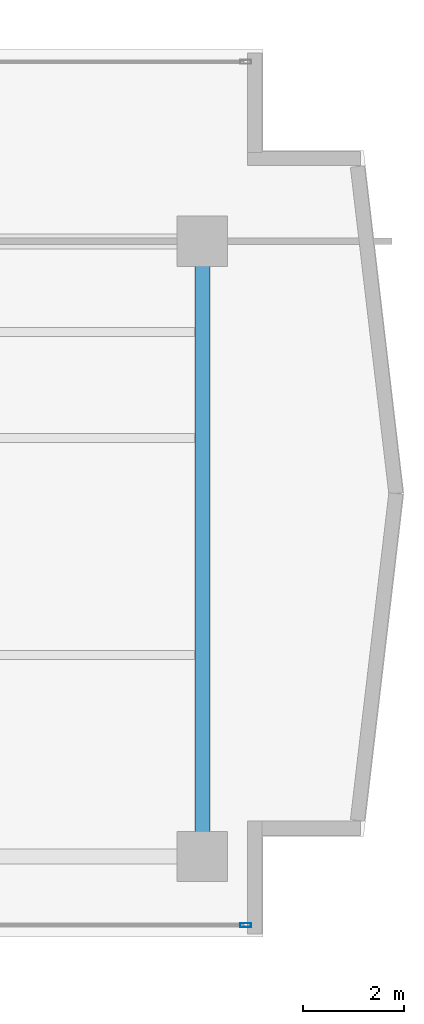
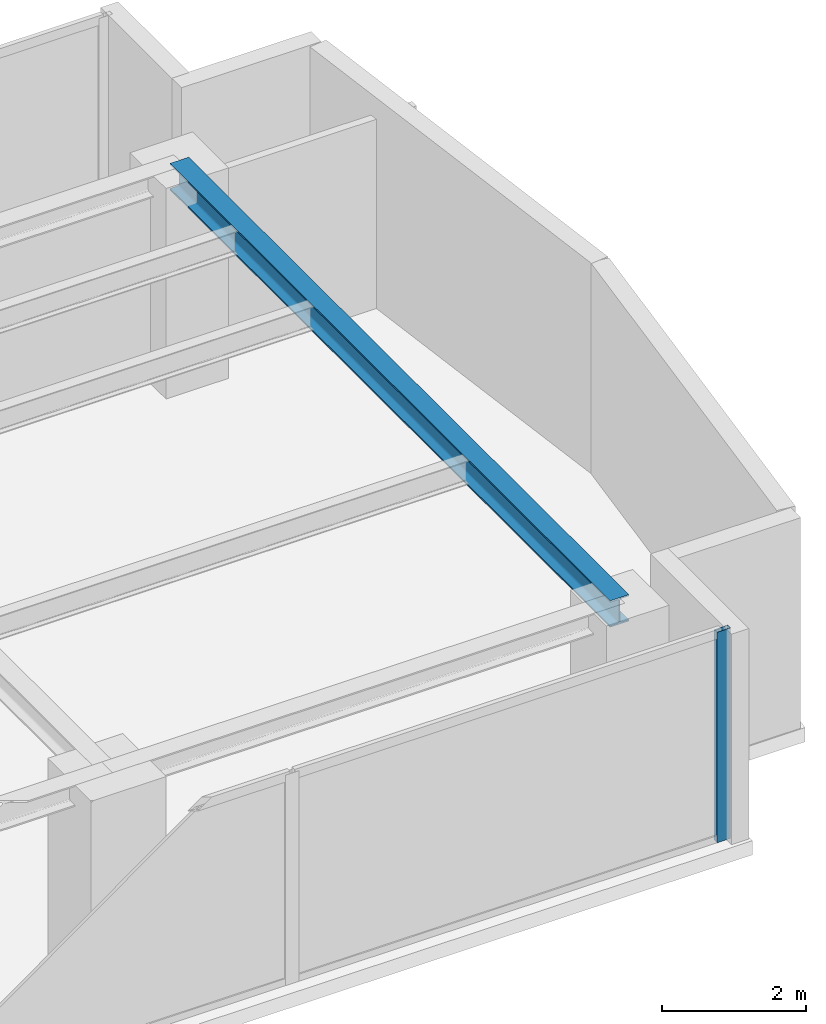
# One storey, part 12 of 26: 1 beam, 1 member, 1 element without a shape of its own.
"""IFC4 building model written with IfcOpenShell, lengths in metres."""

from ifc_helpers import new_model, si_unit, direction, frame, origin, origin_with_axes, origin_2d, place, context, subcontext, project, spatial, hollow_rectangle, i_section, extrude, source, transform, mapped, material, layer, layer_set, material_profile, profile_set, type_object, element, aggregate, save


model = new_model("IFC4")

# Units and contexts
model_context = context("Model", 3, precision=1e-05, world=origin(), true_north=direction((0.0, 1.0)))
body_context = subcontext(model_context, "Body", "Model", "MODEL_VIEW")
ifc_project = project(units=[si_unit("LENGTHUNIT", "METRE"), si_unit("AREAUNIT", "SQUARE_METRE"), si_unit("VOLUMEUNIT", "CUBIC_METRE"), si_unit("PLANEANGLEUNIT", "RADIAN"), si_unit("MASSUNIT", "GRAM", prefix="KILO")], contexts=[model_context])

# Site, building, storey
site_placement = place(None, origin())
site = spatial("IfcSite", under=ifc_project, at=site_placement, CompositionType="ELEMENT")
building_placement = place(site_placement, origin())
building = spatial("IfcBuilding", under=site, at=building_placement, Name="Kolvaren Waterfront Exchange", CompositionType="ELEMENT")
storey_placement = place(building_placement, frame((0.0, 0.0, 180.39990234375)))
storey = spatial("IfcBuildingStorey", under=building, at=storey_placement, Name="L46", CompositionType="ELEMENT", Elevation=180.39990234375)

# Beam
ifc_material_1 = material(Name="Steel S355", Category="steel")
ifc_material_profile_1 = material_profile(ifc_material_1, i_section(OverallWidth=0.300048828125, OverallDepth=0.449951171875, WebThickness=0.013916015625, FlangeThickness=0.02587890625, FilletRadius=0.027099609375, at=origin_2d()), Name="HEB450")
ifc_profile_set_1 = profile_set([ifc_material_profile_1], Name="Steel S355")
beam_type = type_object("IfcBeamType", Name="STR-BM-HEB450", PredefinedType="BEAM", material=ifc_profile_set_1)
beam_placement = place(storey_placement, frame((53.800048828125, 5.199951171875, 3.335205078125), z_axis=(0.0, 1.0, 0.0), x_axis=(-1.0, 0.0, 0.0)))
element("IfcBeam", 1, at=beam_placement, inside=storey, type_object=beam_type, Name="L46 east-arm transverse girder X53", PredefinedType="BEAM", context=body_context, shape_type="SweptSolid", body=[
    extrude(i_section(OverallWidth=0.300048828125, OverallDepth=0.449951171875, WebThickness=0.013916015625, FlangeThickness=0.02587890625, FilletRadius=0.027099609375, at=origin_2d()), origin(), (0.0, 0.0, 1.0), 12.199951171875),
])

# Curtain wall, member
ifc_material_2 = material(Name="Anodised bronze aluminium 6063-T6", Category="aluminium")
ifc_layer = layer(ifc_material_2, 0.219970703125, Name="Anodised bronze aluminium 6063-T6")
ifc_layer_set = layer_set([ifc_layer], Name="Anodised bronze aluminium 6063-T6")
curtain_wall_type = type_object("IfcCurtainWallType", Name="ARC-CW-SYS1", PredefinedType="USERDEFINED", material=ifc_layer_set)
curtain_wall_placement = place(storey_placement, origin())
curtain_wall = element("IfcCurtainWall", 2, at=curtain_wall_placement, inside=storey, type_object=curtain_wall_type, Name="L46 stick curtain wall CW1 (CW-L46-S)", ObjectType="STICK CURTAIN WALL", PredefinedType="USERDEFINED")
ifc_material_3 = material(Name="Anodised aluminium 6063-T6", Category="aluminium")
ifc_material_profile_2 = material_profile(ifc_material_3, hollow_rectangle(XDim=0.080078125, YDim=0.219970703125, WallThickness=0.0048828125, at=origin_2d()), Name="ALU-MUL-220x80x5")
ifc_profile_set_2 = profile_set([ifc_material_profile_2], Name="Anodised aluminium 6063-T6")
member_type = type_object("IfcMemberType", Name="ARC-CWM-220", PredefinedType="MULLION", material=ifc_profile_set_2)
shared_shape = source(origin_with_axes(), body_context, "Body", "SweptSolid", [
    extrude(hollow_rectangle(XDim=0.080078125, YDim=0.219970703125, WallThickness=0.0048828125, at=origin_2d()), origin(), (0.0, 0.0, 1.0), 3.56005859375),
])
member_placement = place(storey_placement, frame((54.659912109375, 3.840087890625, 0.0), z_axis=(0.0, 0.0, 1.0), x_axis=(0.0, 1.0, 0.0)))
member = element("IfcMember", 3, at=member_placement, type_object=member_type, Name="CW1 mullion 8", PredefinedType="MULLION", context=body_context, shape_type="MappedRepresentation", body=[
    mapped(shared_shape, transform((0.0, 0.0, 0.0), x_axis=(1.0, 0.0, 0.0), y_axis=(0.0, 1.0, 0.0), z_axis=(0.0, 0.0, 1.0), scale=1.0)),
])
aggregate(curtain_wall, [member])

save(model, "model.ifc")
